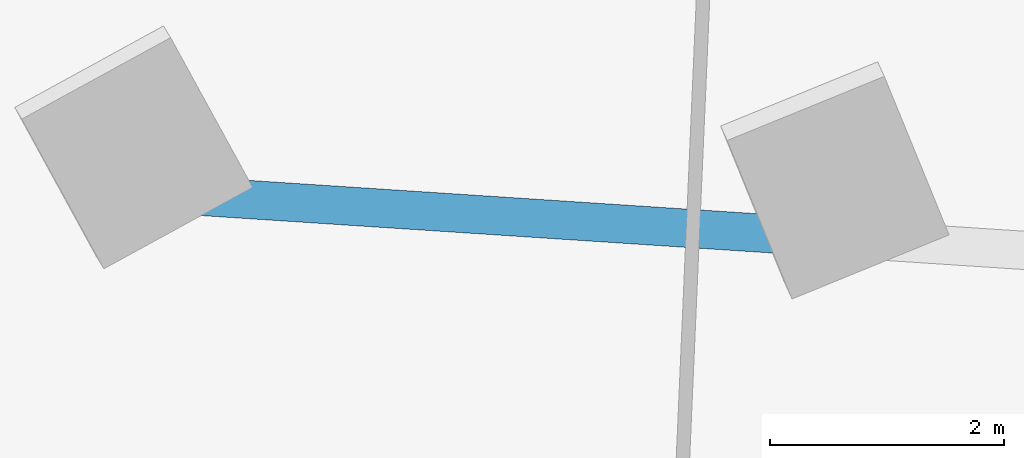
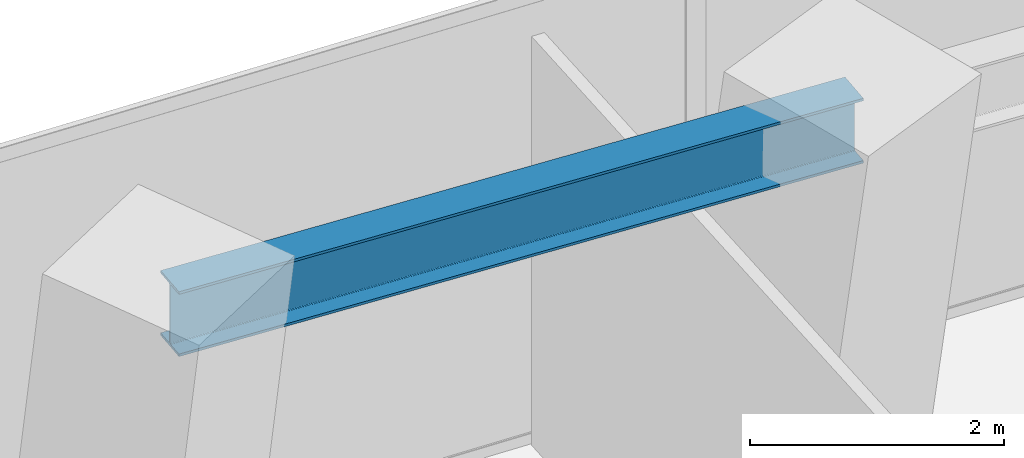
# One storey, part 12 of 27: 1 beam.
"""IFC4 building model written with IfcOpenShell, lengths in metres."""

from ifc_helpers import new_model, si_unit, direction, frame, origin, origin_2d, place, context, subcontext, project, spatial, i_section, extrude, source, transform, mapped, material, material_profile, profile_set, type_object, element, save


model = new_model("IFC4")

# Units and contexts
model_context = context("Model", 3, precision=1e-05, world=origin(), true_north=direction((0.0, 1.0)))
body_context = subcontext(model_context, "Body", "Model", "MODEL_VIEW")
ifc_project = project(units=[si_unit("LENGTHUNIT", "METRE"), si_unit("AREAUNIT", "SQUARE_METRE"), si_unit("VOLUMEUNIT", "CUBIC_METRE"), si_unit("PLANEANGLEUNIT", "RADIAN"), si_unit("MASSUNIT", "GRAM", prefix="KILO")], contexts=[model_context])

# Site, building, storey
site_placement = place(None, origin())
site = spatial("IfcSite", under=ifc_project, at=site_placement, CompositionType="ELEMENT")
building_placement = place(site_placement, origin())
building = spatial("IfcBuilding", under=site, at=building_placement, Name="Torre Montelarca", CompositionType="ELEMENT")
storey_placement = place(building_placement, frame((0.0, 0.0, 37.60009765625)))
storey = spatial("IfcBuildingStorey", under=building, at=storey_placement, Name="L08", CompositionType="ELEMENT", Elevation=37.60009765625)

# Beam
ifc_material = material(Name="Steel ASTM A992 Grade 50", Category="steel")
ifc_material_profile = material_profile(ifc_material, i_section(OverallWidth=0.326904296875, OverallDepth=0.6220703125, WebThickness=0.015380859375, FlangeThickness=0.0244140625, FilletRadius=0.014892578125, at=origin_2d()), Name="W610X195", Category="steel")
ifc_profile_set = profile_set([ifc_material_profile], Name="Steel ASTM A992 Grade 50")
beam_type = type_object("IfcBeamType", Name="BM-G-W610H", PredefinedType="BEAM", material=ifc_profile_set)
shared_shape = source(origin(), body_context, "Body", "SweptSolid", [
    extrude(i_section(OverallWidth=0.326904296875, OverallDepth=0.6220703125, WebThickness=0.015380859375, FlangeThickness=0.0244140625, FilletRadius=0.014892578125, at=origin_2d()), origin(), (0.0, 0.0, 1.0), 6.0),
])
beam_placement = place(storey_placement, frame((42.871826171875, 44.62939453125, 4.2490234375), z_axis=(0.997857123264, -0.065430585744, 0.0), x_axis=(0.065430585744, 0.997857123264, 0.0)))
element("IfcBeam", 1, at=beam_placement, inside=storey, type_object=beam_type, Name="L08 Grid Girder X 42.0-48.0 at Y=46.0", PredefinedType="BEAM", context=body_context, shape_type="MappedRepresentation", body=[
    mapped(shared_shape, transform((0.0, 0.0, 0.0), scale=1.0)),
])

save(model, "model.ifc")
